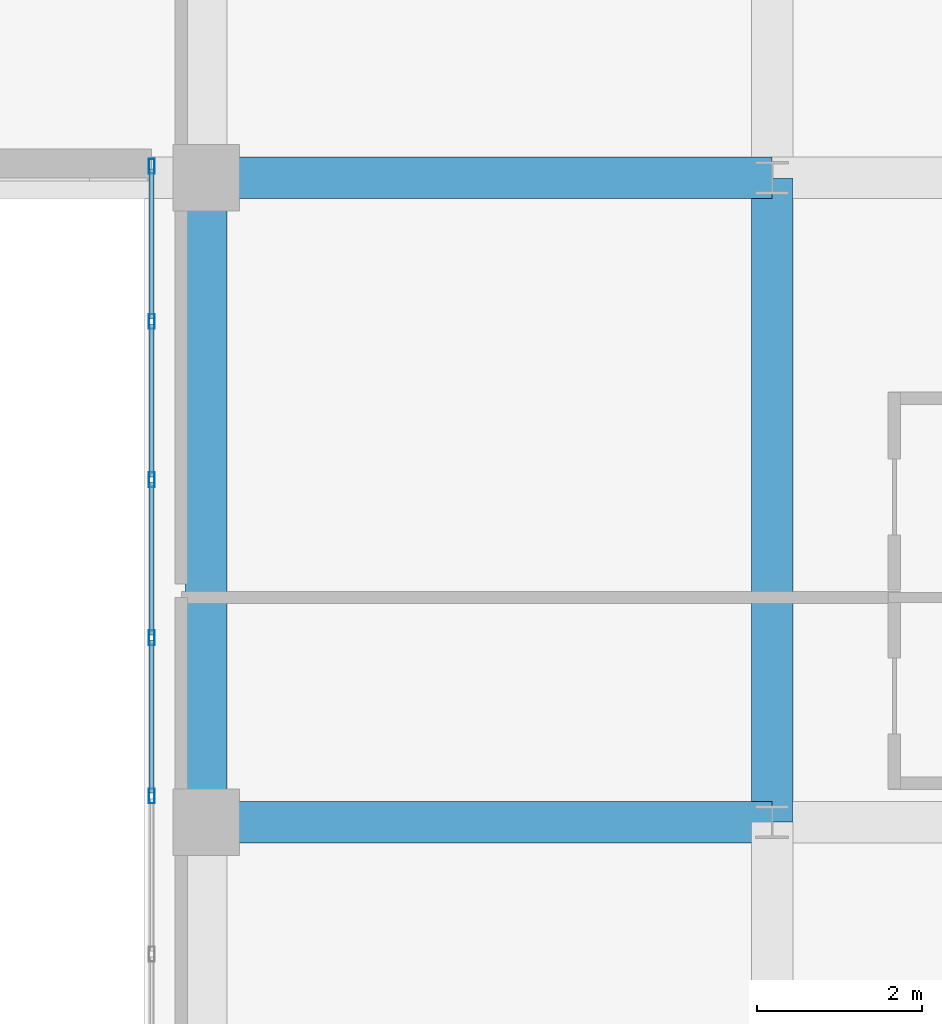
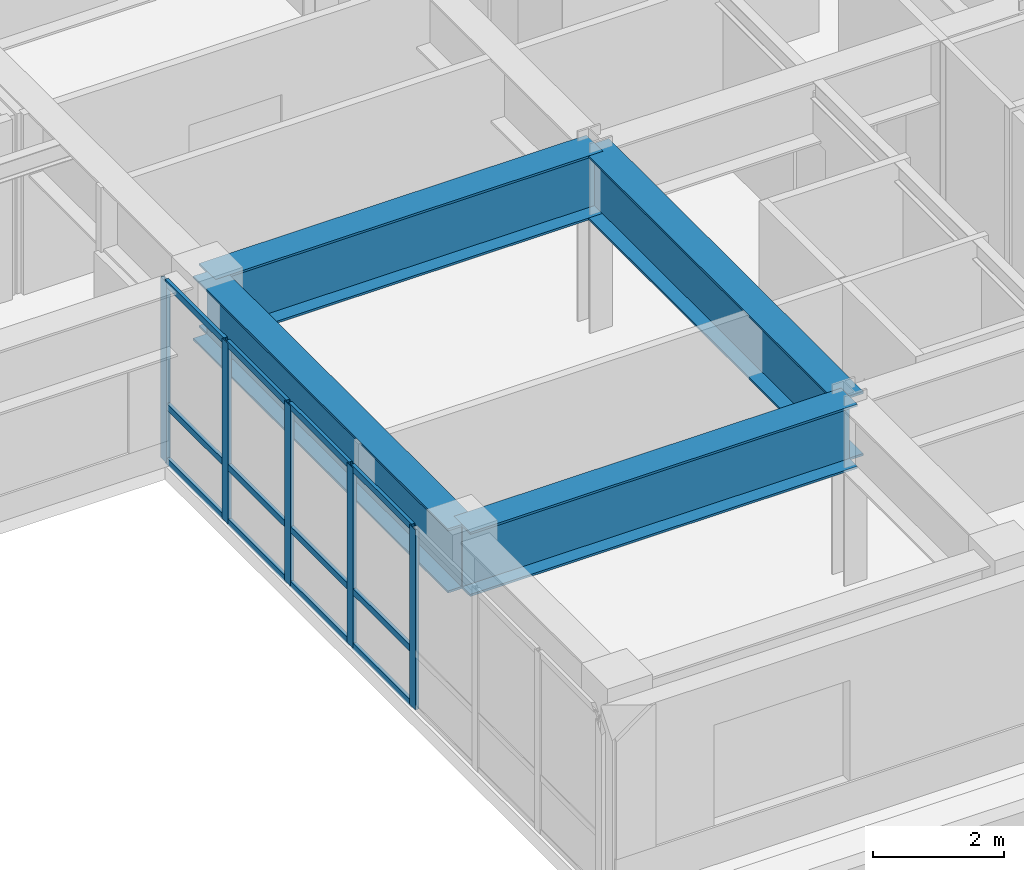
# One storey, part 7 of 20: 17 members, 4 beams, 1 element without a shape of its own.
"""IFC4 building model written with IfcOpenShell, lengths in metres."""

import ifcopenshell
import ifcopenshell.guid

model = None  # the IFC model being written
_history = None  # IfcOwnerHistory: only IFC2X3 demands one
_inside = {}  # id of a spatial element -> (the spatial element, [elements in it])
_under = {}  # id of a project, library or spatial element -> (it, [spatial elements below it])
_declared = {}  # id of a project -> (the project, [libraries it declares])
_typed = {}  # id of a type object -> (the type object, [elements of that type])
_made_of = {}  # id of a material, layer set ... -> (it, [elements and type objects made of it])


def new_model(schema):
    """Start an empty IFC model of exactly this schema.

    Asked for "IFC4X3", IfcOpenShell would pick the latest addendum, in which some entities
    have other attributes; the version numbers below select the first issue.
    IFC2X3 requires an IfcOwnerHistory on every rooted entity: one is made here for all.
    """
    global model, _history
    if schema == "IFC4X3":
        model = ifcopenshell.file(schema_version=(4, 3, 0, 0))
    else:
        model = ifcopenshell.file(schema=schema)
    _inside.clear()
    _under.clear()
    _declared.clear()
    _typed.clear()
    _made_of.clear()
    _history = None
    if model.schema == "IFC2X3":
        org = make("IfcOrganization", Name="unknown")
        user = make(
            "IfcPersonAndOrganization",
            ThePerson=make("IfcPerson", FamilyName="unknown"),
            TheOrganization=org,
        )
        app = make(
            "IfcApplication",
            ApplicationDeveloper=org,
            Version="unknown",
            ApplicationFullName="unknown",
            ApplicationIdentifier="unknown",
        )
        _history = make(
            "IfcOwnerHistory",
            OwningUser=user,
            OwningApplication=app,
            ChangeAction="ADDED",
            CreationDate=0,
        )
    return model


def make(cls, **values):
    """One entity of the class cls with the attributes given. An attribute that is None is left unset."""
    return model.create_entity(
        cls, **{name: value for name, value in values.items() if value is not None}
    )


def rooted(cls, **values):
    """An entity with a GlobalId (a new one), such as an element, a storey or a relation."""
    return make(cls, GlobalId=ifcopenshell.guid.new(), OwnerHistory=_history, **values)


def si_unit(unit_type, name, prefix=None):
    """IfcSIUnit, for example si_unit("LENGTHUNIT", "METRE", prefix="MILLI")."""
    return make("IfcSIUnit", UnitType=unit_type, Prefix=prefix, Name=name)


def assignment(units):
    """IfcUnitAssignment: the units of a project."""
    return None if units is None else make("IfcUnitAssignment", Units=units)


def point(xyz):
    """IfcCartesianPoint."""
    return None if xyz is None else make("IfcCartesianPoint", Coordinates=xyz)


def direction(xyz):
    """IfcDirection."""
    return None if xyz is None else make("IfcDirection", DirectionRatios=xyz)


def frame(location, z_axis=None, x_axis=None):
    """IfcAxis2Placement3D, a coordinate frame: its origin and axes. An axis left out is left unset."""
    return make(
        "IfcAxis2Placement3D",
        Location=point(location),
        Axis=direction(z_axis),
        RefDirection=direction(x_axis),
    )


def frame_2d(location, x_axis=None):
    """IfcAxis2Placement2D, a coordinate frame in the plane: its origin and x axis."""
    return make(
        "IfcAxis2Placement2D", Location=point(location), RefDirection=direction(x_axis)
    )


def origin():
    """The frame at (0, 0, 0) with its axes left unset."""
    return frame((0.0, 0.0, 0.0))


def origin_2d():
    """The frame at (0, 0) in the plane with its x axis left unset."""
    return frame_2d((0.0, 0.0))


def place(relative_to, where):
    """IfcLocalPlacement: puts the frame where relative to a parent placement (None: the world)."""
    return make(
        "IfcLocalPlacement", PlacementRelTo=relative_to, RelativePlacement=where
    )


def context(
    kind, dimensions, precision=None, world=None, true_north=None, identifier=None
):
    """IfcGeometricRepresentationContext, for example the 3D "Model" context."""
    return make(
        "IfcGeometricRepresentationContext",
        ContextIdentifier=identifier,
        ContextType=kind,
        CoordinateSpaceDimension=dimensions,
        Precision=precision,
        WorldCoordinateSystem=world,
        TrueNorth=true_north,
    )


def subcontext(parent, identifier, kind, view, scale=None):
    """IfcGeometricRepresentationSubContext, for example "Body" below "Model"."""
    return make(
        "IfcGeometricRepresentationSubContext",
        ContextIdentifier=identifier,
        ContextType=kind,
        ParentContext=parent,
        TargetScale=scale,
        TargetView=view,
    )


def project(units=None, contexts=None):
    """IfcProject with its units and contexts."""
    return rooted(
        "IfcProject",
        Name="project",
        RepresentationContexts=contexts,
        UnitsInContext=assignment(units),
    )


def spatial(cls, under=None, at=None, **own):
    """A site, building, storey or space (cls), placed at a placement, below another one or the project."""
    s = rooted(cls, ObjectPlacement=at, **own)
    if under is not None:
        _under.setdefault(under.id(), (under, []))[1].append(s)
    return s


def profile(cls, at=None, kind="AREA", **sizes):
    """A parametric profile (cls). Its sizes go by their IFC names, for example OverallWidth=200.0."""
    return make(cls, ProfileType=kind, Position=at, **sizes)


def hollow_rectangle(**sizes):
    """IfcRectangleHollowProfileDef."""
    return profile("IfcRectangleHollowProfileDef", **sizes)


def i_section(**sizes):
    """IfcIShapeProfileDef."""
    return profile("IfcIShapeProfileDef", **sizes)


def extrude(swept, where, along, depth):
    """IfcExtrudedAreaSolid: the profile swept, set in the frame where, extruded along a direction by depth."""
    return make(
        "IfcExtrudedAreaSolid",
        SweptArea=swept,
        Position=where,
        ExtrudedDirection=direction(along),
        Depth=depth,
    )


def shape(context_of_items, identifier, shape_type, items):
    """IfcShapeRepresentation: the items that make up one representation, for example the "Body"."""
    return make(
        "IfcShapeRepresentation",
        ContextOfItems=context_of_items,
        RepresentationIdentifier=identifier,
        RepresentationType=shape_type,
        Items=items,
    )


def source(mapping_origin, context_of_items, identifier, shape_type, items):
    """IfcRepresentationMap: a shape defined once, which mapped items show again and again."""
    return make(
        "IfcRepresentationMap",
        MappingOrigin=mapping_origin,
        MappedRepresentation=shape(context_of_items, identifier, shape_type, items),
    )


def transform(
    local_origin,
    x_axis=None,
    y_axis=None,
    z_axis=None,
    scale=None,
    scale2=None,
    scale3=None,
    uniform=True,
):
    """IfcCartesianTransformationOperator3D, or its non-uniform kind. x_axis, y_axis, z_axis: its Axis1, 2, 3."""
    if uniform:
        return make(
            "IfcCartesianTransformationOperator3D",
            Axis1=direction(x_axis),
            Axis2=direction(y_axis),
            LocalOrigin=point(local_origin),
            Scale=scale,
            Axis3=direction(z_axis),
        )
    return make(
        "IfcCartesianTransformationOperator3DnonUniform",
        Axis1=direction(x_axis),
        Axis2=direction(y_axis),
        LocalOrigin=point(local_origin),
        Scale=scale,
        Axis3=direction(z_axis),
        Scale2=scale2,
        Scale3=scale3,
    )


def mapped(mapping_source, mapping_target):
    """IfcMappedItem: shows the shape of a source again, moved by a transform."""
    return make(
        "IfcMappedItem", MappingSource=mapping_source, MappingTarget=mapping_target
    )


def material(Name=None, Category=None):
    """IfcMaterial."""
    return make("IfcMaterial", Name=Name, Category=Category)


def layer(
    of_material, thickness, ventilated=None, Name=None, Category=None, Priority=None
):
    """IfcMaterialLayer: one layer of a wall or slab, of a material (None: an air gap)."""
    return make(
        "IfcMaterialLayer",
        Material=of_material,
        LayerThickness=thickness,
        IsVentilated=ventilated,
        Name=Name,
        Category=Category,
        Priority=Priority,
    )


def layer_set(layers, Name=None):
    """IfcMaterialLayerSet."""
    return make("IfcMaterialLayerSet", MaterialLayers=layers, LayerSetName=Name)


def material_profile(
    of_material, cross_section, Name=None, Category=None, Priority=None
):
    """IfcMaterialProfile: a cross section and its material."""
    return make(
        "IfcMaterialProfile",
        Name=Name,
        Material=of_material,
        Profile=cross_section,
        Priority=Priority,
        Category=Category,
    )


def profile_set(profiles, Name=None, composite=None):
    """IfcMaterialProfileSet."""
    return make(
        "IfcMaterialProfileSet",
        Name=Name,
        MaterialProfiles=profiles,
        CompositeProfile=composite,
    )


def made_of(thing, what):
    """Note that an element or type object is made of a material, layer set ...; save() writes the relation."""
    if what is not None:
        _made_of.setdefault(what.id(), (what, []))[1].append(thing)
    return thing


def type_object(cls, material=None, **own):
    """A type object (cls), such as IfcWallType, which elements share."""
    return made_of(rooted(cls, **own), material)


def type_shapes(of_type, sources):
    """Give a type object the sources (RepresentationMaps) that its elements show as mapped items."""
    of_type.RepresentationMaps = sources


def element(
    cls,
    number,
    at=None,
    inside=None,
    cuts=None,
    type_object=None,
    material=None,
    context=None,
    identifier="Body",
    shape_type=None,
    held_by="IfcProductDefinitionShape",
    body=None,
    shapes=None,
    **own,
):
    """One element of the class cls, such as IfcWall. Its Tag is "e" and its number.

    at: its placement. inside: the storey or other place that contains it. cuts: it is an
    opening in that element (IfcRelVoidsElement). A single representation is given by context,
    identifier, shape_type and body (its items); several are given by shapes. held_by: the class
    of the entity that holds the representations. save() writes the other relations.
    """
    e = rooted(cls, Tag="e%d" % number, ObjectPlacement=at, **own)
    if body is not None:
        shapes = [shape(context, identifier, shape_type, body)]
    if shapes is not None:
        e.Representation = make(held_by, Representations=shapes)
    if inside is not None:
        _inside.setdefault(inside.id(), (inside, []))[1].append(e)
    if cuts is not None:
        rooted(
            "IfcRelVoidsElement", RelatingBuildingElement=cuts, RelatedOpeningElement=e
        )
    if type_object is not None:
        _typed.setdefault(type_object.id(), (type_object, []))[1].append(e)
    return made_of(e, material)


def aggregate(whole, parts):
    """IfcRelAggregates: a whole, such as a stair, and the parts it consists of."""
    return rooted("IfcRelAggregates", RelatingObject=whole, RelatedObjects=parts)


def save(model, path):
    """Write the relations noted so far, then the file.

    IfcRelAggregates (storeys below a building ...), IfcRelContainedInSpatialStructure (elements
    in a storey), IfcRelDefinesByType, IfcRelAssociatesMaterial and IfcRelDeclares: one each for
    every whole, place, type object, material and project.
    """
    for whole, parts in _under.values():
        aggregate(whole, parts)
    for where, things in _inside.values():
        rooted(
            "IfcRelContainedInSpatialStructure",
            RelatedElements=things,
            RelatingStructure=where,
        )
    for kind, things in _typed.values():
        rooted("IfcRelDefinesByType", RelatedObjects=things, RelatingType=kind)
    for what, things in _made_of.values():
        rooted("IfcRelAssociatesMaterial", RelatedObjects=things, RelatingMaterial=what)
    for by, libraries in _declared.values():
        rooted("IfcRelDeclares", RelatingContext=by, RelatedDefinitions=libraries)
    model.write(path)


model = new_model("IFC4")

# Units and contexts
model_context = context("Model", 3, precision=1e-05, world=origin(), true_north=direction((0.0, 1.0)))
body_context = subcontext(model_context, "Body", "Model", "MODEL_VIEW")
ifc_project = project(units=[si_unit("LENGTHUNIT", "METRE"), si_unit("AREAUNIT", "SQUARE_METRE"), si_unit("VOLUMEUNIT", "CUBIC_METRE"), si_unit("PLANEANGLEUNIT", "RADIAN"), si_unit("MASSUNIT", "GRAM", prefix="KILO")], contexts=[model_context])

# Site, building, storey
site_placement = place(None, origin())
site = spatial("IfcSite", under=ifc_project, at=site_placement, CompositionType="ELEMENT")
building_placement = place(site_placement, origin())
building = spatial("IfcBuilding", under=site, at=building_placement, Name="Tolvann Quenvar Hotel", CompositionType="ELEMENT")
storey_placement = place(building_placement, frame((0.0, 0.0, 147.050048828125)))
storey = spatial("IfcBuildingStorey", under=building, at=storey_placement, Name="L38", CompositionType="ELEMENT", Elevation=147.050048828125)

# Beams
ifc_material_1 = material(Name="Steel Grade 350", Category="steel")
ifc_material_profile_1 = material_profile(ifc_material_1, i_section(OverallWidth=0.5, OverallDepth=1.199951171875, WebThickness=0.01611328125, FlangeThickness=0.0400390625, at=origin_2d()), Name="1200WB455")
ifc_profile_set_1 = profile_set([ifc_material_profile_1], Name="Steel Grade 350")
beam_type = type_object("IfcBeamType", Name="BM_TG_1200WB455", PredefinedType="USERDEFINED", material=ifc_profile_set_1)
shared_shape_1 = source(origin(), body_context, "Body", "SweptSolid", [
    extrude(i_section(OverallWidth=0.5, OverallDepth=1.199951171875, WebThickness=0.01611328125, FlangeThickness=0.0400390625, at=origin_2d()), origin(), (0.0, 0.0, 1.0), 7.800048828125),
])
for number, where, z_axis, x_axis, name in (
    (1, (34.949951171875, 8.199951171875, 2.77001953125), (0.0, 1.0, 0.0), (-1.0, 0.0, 0.0), "BM-L38-NS-F3-F4"),
    (2, (41.800048828125, 8.199951171875, 2.77001953125), (0.0, 1.0, 0.0), (-1.0, 0.0, 0.0), "BM-L38-NS-H3-H4"),
):
    element("IfcBeam", number, at=place(storey_placement, frame(where, z_axis=z_axis, x_axis=x_axis)), inside=storey, type_object=beam_type, Name=name, ObjectType="TRANSFER GIRDER", PredefinedType="USERDEFINED", context=body_context, shape_type="MappedRepresentation", body=[
        mapped(shared_shape_1, transform((0.0, 0.0, 0.0), x_axis=(1.0, 0.0, 0.0), y_axis=(0.0, 1.0, 0.0), z_axis=(0.0, 0.0, 1.0), scale=1.0)),
    ])
shared_shape_2 = source(origin(), body_context, "Body", "SweptSolid", [
    extrude(i_section(OverallWidth=0.5, OverallDepth=1.199951171875, WebThickness=0.01611328125, FlangeThickness=0.0400390625, at=origin_2d()), origin(), (0.0, 0.0, 1.0), 6.85009765625),
])
type_shapes(beam_type, [shared_shape_1, shared_shape_2])
for number, where, z_axis, x_axis, name in (
    (3, (34.949951171875, 8.199951171875, 2.77001953125), (1.0, 0.0, 0.0), (0.0, 1.0, 0.0), "BM-L38-EW-3-F3-H3"),
    (4, (34.949951171875, 16.0, 2.77001953125), (1.0, 0.0, 0.0), (0.0, 1.0, 0.0), "BM-L38-EW-4-F4-H4"),
):
    element("IfcBeam", number, at=place(storey_placement, frame(where, z_axis=z_axis, x_axis=x_axis)), inside=storey, type_object=beam_type, Name=name, ObjectType="TRANSFER GIRDER", PredefinedType="USERDEFINED", context=body_context, shape_type="MappedRepresentation", body=[
        mapped(shared_shape_2, transform((0.0, 0.0, 0.0), x_axis=(1.0, 0.0, 0.0), y_axis=(0.0, 1.0, 0.0), z_axis=(0.0, 0.0, 1.0), scale=1.0)),
    ])

# Curtain wall, members
ifc_material_2 = material(Name="Thermally broken anodised architectural aluminium 6063-T6 and laminated low-E glass", Category="aluminium")
ifc_layer = layer(ifc_material_2, 0.179931640625)
ifc_layer_set = layer_set([ifc_layer], Name="Thermally broken anodised architectural aluminium 6063-T6 and laminated low-E glass")
curtain_wall_type = type_object("IfcCurtainWallType", Name="CW_SYS_SLOT_03", PredefinedType="USERDEFINED", material=ifc_layer_set)
curtain_wall_placement = place(storey_placement, origin())
curtain_wall = element("IfcCurtainWall", 5, at=curtain_wall_placement, inside=storey, type_object=curtain_wall_type, Name="Curtain Wall CW-SLOT-03 (CWR-L38-E07)", ObjectType="UNITISED CURTAIN WALL", PredefinedType="USERDEFINED")
ifc_material_3 = material(Name="Anodised architectural aluminium 6063-T6 framing", Category="aluminium")
ifc_material_profile_2 = material_profile(ifc_material_3, hollow_rectangle(XDim=0.070068359375, YDim=0.179931640625, WallThickness=0.00390625, at=origin_2d()), Name="180x70x4RHS")
ifc_profile_set_2 = profile_set([ifc_material_profile_2], Name="Anodised architectural aluminium 6063-T6 framing")
member_type_1 = type_object("IfcMemberType", Name="CW_MULL_180x70", PredefinedType="MULLION", material=ifc_profile_set_2)
shared_shape_3 = source(origin(), body_context, "Body", "SweptSolid", [
    extrude(hollow_rectangle(XDim=0.070068359375, YDim=0.179931640625, WallThickness=0.00390625, at=origin_2d()), origin(), (0.0, 0.0, 1.0), 3.369873046875),
])
type_shapes(member_type_1, [shared_shape_3])
member_1_placement = place(storey_placement, frame((34.2900390625, 16.139892578125, 0.0), z_axis=(0.0, 0.0, 1.0), x_axis=(1.0, 0.0, 0.0)))
member_1 = element("IfcMember", 6, at=member_1_placement, type_object=member_type_1, Name="CW-SLOT-03 mullion 1", PredefinedType="MULLION", context=body_context, shape_type="MappedRepresentation", body=[
    mapped(shared_shape_3, transform((0.0, 0.0, 0.0), x_axis=(1.0, 0.0, 0.0), y_axis=(0.0, 1.0, 0.0), z_axis=(0.0, 0.0, 1.0), scale=1.0)),
])
member_2_placement = place(storey_placement, frame((34.2900390625, 14.2607421875, 0.0), z_axis=(0.0, 0.0, 1.0), x_axis=(1.0, 0.0, 0.0)))
member_2 = element("IfcMember", 7, at=member_2_placement, type_object=member_type_1, Name="CW-SLOT-03 mullion 2", PredefinedType="MULLION", context=body_context, shape_type="MappedRepresentation", body=[
    mapped(shared_shape_3, transform((0.0, 0.0, 0.0), x_axis=(1.0, 0.0, 0.0), y_axis=(0.0, 1.0, 0.0), z_axis=(0.0, 0.0, 1.0), scale=1.0)),
])
member_3_placement = place(storey_placement, frame((34.2900390625, 12.346435546875, 0.0), z_axis=(0.0, 0.0, 1.0), x_axis=(1.0, 0.0, 0.0)))
member_3 = element("IfcMember", 8, at=member_3_placement, type_object=member_type_1, Name="CW-SLOT-03 mullion 3", PredefinedType="MULLION", context=body_context, shape_type="MappedRepresentation", body=[
    mapped(shared_shape_3, transform((0.0, 0.0, 0.0), x_axis=(1.0, 0.0, 0.0), y_axis=(0.0, 1.0, 0.0), z_axis=(0.0, 0.0, 1.0), scale=1.0)),
])
member_4_placement = place(storey_placement, frame((34.2900390625, 10.43212890625, 0.0), z_axis=(0.0, 0.0, 1.0), x_axis=(1.0, 0.0, 0.0)))
member_4 = element("IfcMember", 9, at=member_4_placement, type_object=member_type_1, Name="CW-SLOT-03 mullion 4", PredefinedType="MULLION", context=body_context, shape_type="MappedRepresentation", body=[
    mapped(shared_shape_3, transform((0.0, 0.0, 0.0), x_axis=(1.0, 0.0, 0.0), y_axis=(0.0, 1.0, 0.0), z_axis=(0.0, 0.0, 1.0), scale=1.0)),
])
member_5_placement = place(storey_placement, frame((34.2900390625, 8.517822265625, 0.0), z_axis=(0.0, 0.0, 1.0), x_axis=(1.0, 0.0, 0.0)))
member_5 = element("IfcMember", 10, at=member_5_placement, type_object=member_type_1, Name="CW-SLOT-03 mullion 5", PredefinedType="MULLION", context=body_context, shape_type="MappedRepresentation", body=[
    mapped(shared_shape_3, transform((0.0, 0.0, 0.0), x_axis=(1.0, 0.0, 0.0), y_axis=(0.0, 1.0, 0.0), z_axis=(0.0, 0.0, 1.0), scale=1.0)),
])
ifc_material_profile_3 = material_profile(ifc_material_3, hollow_rectangle(XDim=0.06005859375, YDim=0.1201171875, WallThickness=0.00341796875, at=origin_2d()), Name="120x60x3.5RHS")
ifc_profile_set_3 = profile_set([ifc_material_profile_3], Name="Anodised architectural aluminium 6063-T6 framing")
member_type_2 = type_object("IfcMemberType", Name="CW_TRAN_120x60", PredefinedType="USERDEFINED", material=ifc_profile_set_3)
shared_shape_4 = source(origin(), body_context, "Body", "SweptSolid", [
    extrude(hollow_rectangle(XDim=0.06005859375, YDim=0.1201171875, WallThickness=0.00341796875, at=origin_2d()), origin(), (0.0, 0.0, 1.0), 1.809326171875),
])
member_6_placement = place(storey_placement, frame((34.2900390625, 16.10498046875, 0.030029296875), z_axis=(0.0, -1.0, 0.0), x_axis=(1.0, 0.0, 0.0)))
member_6 = element("IfcMember", 11, at=member_6_placement, type_object=member_type_2, Name="CW-SLOT-03 transom 1.1", ObjectType="TRANSOM", PredefinedType="USERDEFINED", context=body_context, shape_type="MappedRepresentation", body=[
    mapped(shared_shape_4, transform((0.0, 0.0, 0.0), x_axis=(1.0, 0.0, 0.0), y_axis=(0.0, 1.0, 0.0), z_axis=(0.0, 0.0, 1.0), scale=1.0)),
])
member_7_placement = place(storey_placement, frame((34.2900390625, 16.10498046875, 1.050048828125), z_axis=(0.0, -1.0, 0.0), x_axis=(1.0, 0.0, 0.0)))
member_7 = element("IfcMember", 12, at=member_7_placement, type_object=member_type_2, Name="CW-SLOT-03 transom 1.2", ObjectType="TRANSOM", PredefinedType="USERDEFINED", context=body_context, shape_type="MappedRepresentation", body=[
    mapped(shared_shape_4, transform((0.0, 0.0, 0.0), x_axis=(1.0, 0.0, 0.0), y_axis=(0.0, 1.0, 0.0), z_axis=(0.0, 0.0, 1.0), scale=1.0)),
])
member_8_placement = place(storey_placement, frame((34.2900390625, 16.10498046875, 3.33984375), z_axis=(0.0, -1.0, 0.0), x_axis=(1.0, 0.0, 0.0)))
member_8 = element("IfcMember", 13, at=member_8_placement, type_object=member_type_2, Name="CW-SLOT-03 transom 1.3", ObjectType="TRANSOM", PredefinedType="USERDEFINED", context=body_context, shape_type="MappedRepresentation", body=[
    mapped(shared_shape_4, transform((0.0, 0.0, 0.0), x_axis=(1.0, 0.0, 0.0), y_axis=(0.0, 1.0, 0.0), z_axis=(0.0, 0.0, 1.0), scale=1.0)),
])
shared_shape_5 = source(origin(), body_context, "Body", "SweptSolid", [
    extrude(hollow_rectangle(XDim=0.06005859375, YDim=0.1201171875, WallThickness=0.00341796875, at=origin_2d()), origin(), (0.0, 0.0, 1.0), 1.84423828125),
])
member_9_placement = place(storey_placement, frame((34.2900390625, 10.397216796875, 0.030029296875), z_axis=(0.0, -1.0, 0.0), x_axis=(1.0, 0.0, 0.0)))
member_9 = element("IfcMember", 14, at=member_9_placement, type_object=member_type_2, Name="CW-SLOT-03 transom 4.1", ObjectType="TRANSOM", PredefinedType="USERDEFINED", context=body_context, shape_type="MappedRepresentation", body=[
    mapped(shared_shape_5, transform((0.0, 0.0, 0.0), x_axis=(1.0, 0.0, 0.0), y_axis=(0.0, 1.0, 0.0), z_axis=(0.0, 0.0, 1.0), scale=1.0)),
])
member_10_placement = place(storey_placement, frame((34.2900390625, 10.397216796875, 1.050048828125), z_axis=(0.0, -1.0, 0.0), x_axis=(1.0, 0.0, 0.0)))
member_10 = element("IfcMember", 15, at=member_10_placement, type_object=member_type_2, Name="CW-SLOT-03 transom 4.2", ObjectType="TRANSOM", PredefinedType="USERDEFINED", context=body_context, shape_type="MappedRepresentation", body=[
    mapped(shared_shape_5, transform((0.0, 0.0, 0.0), x_axis=(1.0, 0.0, 0.0), y_axis=(0.0, 1.0, 0.0), z_axis=(0.0, 0.0, 1.0), scale=1.0)),
])
member_11_placement = place(storey_placement, frame((34.2900390625, 10.397216796875, 3.33984375), z_axis=(0.0, -1.0, 0.0), x_axis=(1.0, 0.0, 0.0)))
member_11 = element("IfcMember", 16, at=member_11_placement, type_object=member_type_2, Name="CW-SLOT-03 transom 4.3", ObjectType="TRANSOM", PredefinedType="USERDEFINED", context=body_context, shape_type="MappedRepresentation", body=[
    mapped(shared_shape_5, transform((0.0, 0.0, 0.0), x_axis=(1.0, 0.0, 0.0), y_axis=(0.0, 1.0, 0.0), z_axis=(0.0, 0.0, 1.0), scale=1.0)),
])
shared_shape_6 = source(origin(), body_context, "Body", "SweptSolid", [
    extrude(hollow_rectangle(XDim=0.06005859375, YDim=0.1201171875, WallThickness=0.00341796875, at=origin_2d()), origin(), (0.0, 0.0, 1.0), 1.844482421875),
])
type_shapes(member_type_2, [shared_shape_4, shared_shape_5, shared_shape_6])
member_12_placement = place(storey_placement, frame((34.2900390625, 14.225830078125, 0.030029296875), z_axis=(0.0, -1.0, 0.0), x_axis=(1.0, 0.0, 0.0)))
member_12 = element("IfcMember", 17, at=member_12_placement, type_object=member_type_2, Name="CW-SLOT-03 transom 2.1", ObjectType="TRANSOM", PredefinedType="USERDEFINED", context=body_context, shape_type="MappedRepresentation", body=[
    mapped(shared_shape_6, transform((0.0, 0.0, 0.0), x_axis=(1.0, 0.0, 0.0), y_axis=(0.0, 1.0, 0.0), z_axis=(0.0, 0.0, 1.0), scale=1.0)),
])
member_13_placement = place(storey_placement, frame((34.2900390625, 14.225830078125, 1.050048828125), z_axis=(0.0, -1.0, 0.0), x_axis=(1.0, 0.0, 0.0)))
member_13 = element("IfcMember", 18, at=member_13_placement, type_object=member_type_2, Name="CW-SLOT-03 transom 2.2", ObjectType="TRANSOM", PredefinedType="USERDEFINED", context=body_context, shape_type="MappedRepresentation", body=[
    mapped(shared_shape_6, transform((0.0, 0.0, 0.0), x_axis=(1.0, 0.0, 0.0), y_axis=(0.0, 1.0, 0.0), z_axis=(0.0, 0.0, 1.0), scale=1.0)),
])
member_14_placement = place(storey_placement, frame((34.2900390625, 14.225830078125, 3.33984375), z_axis=(0.0, -1.0, 0.0), x_axis=(1.0, 0.0, 0.0)))
member_14 = element("IfcMember", 19, at=member_14_placement, type_object=member_type_2, Name="CW-SLOT-03 transom 2.3", ObjectType="TRANSOM", PredefinedType="USERDEFINED", context=body_context, shape_type="MappedRepresentation", body=[
    mapped(shared_shape_6, transform((0.0, 0.0, 0.0), x_axis=(1.0, 0.0, 0.0), y_axis=(0.0, 1.0, 0.0), z_axis=(0.0, 0.0, 1.0), scale=1.0)),
])
member_15_placement = place(storey_placement, frame((34.2900390625, 12.3115234375, 0.030029296875), z_axis=(0.0, -1.0, 0.0), x_axis=(1.0, 0.0, 0.0)))
member_15 = element("IfcMember", 20, at=member_15_placement, type_object=member_type_2, Name="CW-SLOT-03 transom 3.1", ObjectType="TRANSOM", PredefinedType="USERDEFINED", context=body_context, shape_type="MappedRepresentation", body=[
    mapped(shared_shape_6, transform((0.0, 0.0, 0.0), x_axis=(1.0, 0.0, 0.0), y_axis=(0.0, 1.0, 0.0), z_axis=(0.0, 0.0, 1.0), scale=1.0)),
])
member_16_placement = place(storey_placement, frame((34.2900390625, 12.3115234375, 1.050048828125), z_axis=(0.0, -1.0, 0.0), x_axis=(1.0, 0.0, 0.0)))
member_16 = element("IfcMember", 21, at=member_16_placement, type_object=member_type_2, Name="CW-SLOT-03 transom 3.2", ObjectType="TRANSOM", PredefinedType="USERDEFINED", context=body_context, shape_type="MappedRepresentation", body=[
    mapped(shared_shape_6, transform((0.0, 0.0, 0.0), x_axis=(1.0, 0.0, 0.0), y_axis=(0.0, 1.0, 0.0), z_axis=(0.0, 0.0, 1.0), scale=1.0)),
])
member_17_placement = place(storey_placement, frame((34.2900390625, 12.3115234375, 3.33984375), z_axis=(0.0, -1.0, 0.0), x_axis=(1.0, 0.0, 0.0)))
member_17 = element("IfcMember", 22, at=member_17_placement, type_object=member_type_2, Name="CW-SLOT-03 transom 3.3", ObjectType="TRANSOM", PredefinedType="USERDEFINED", context=body_context, shape_type="MappedRepresentation", body=[
    mapped(shared_shape_6, transform((0.0, 0.0, 0.0), x_axis=(1.0, 0.0, 0.0), y_axis=(0.0, 1.0, 0.0), z_axis=(0.0, 0.0, 1.0), scale=1.0)),
])
aggregate(curtain_wall, [member_1, member_2, member_3, member_4, member_5, member_6, member_7, member_8, member_12, member_13, member_14, member_15, member_16, member_17, member_9, member_10, member_11])

save(model, "model.ifc")
